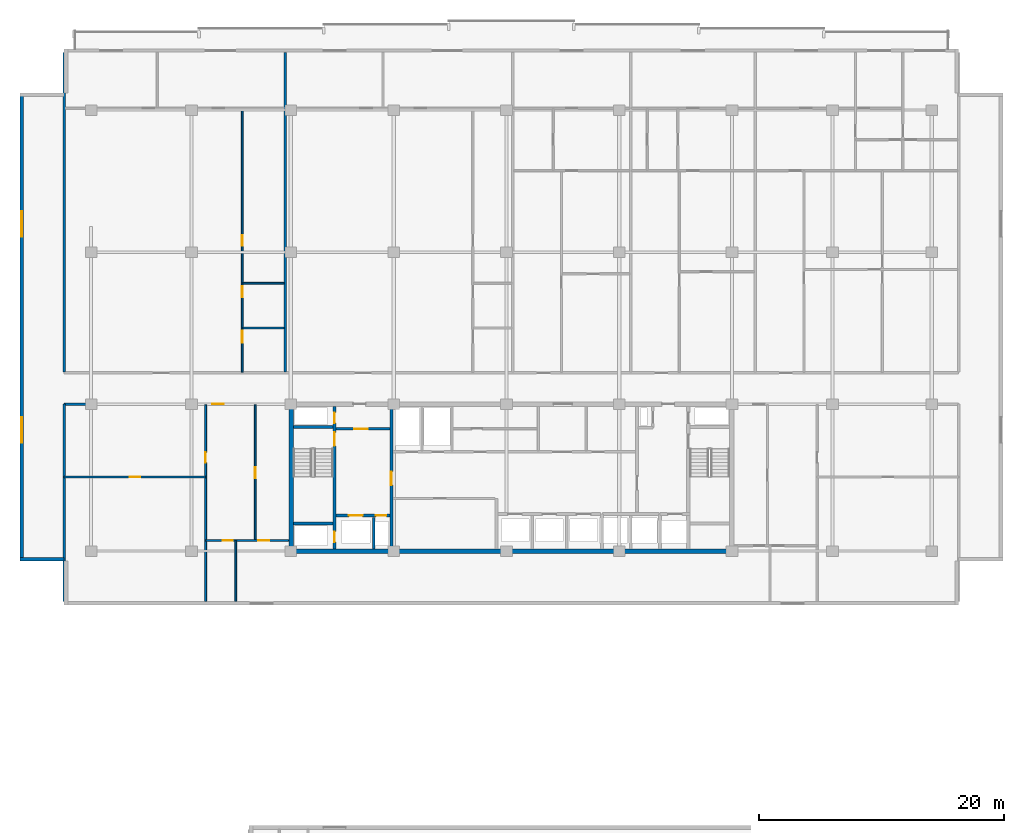
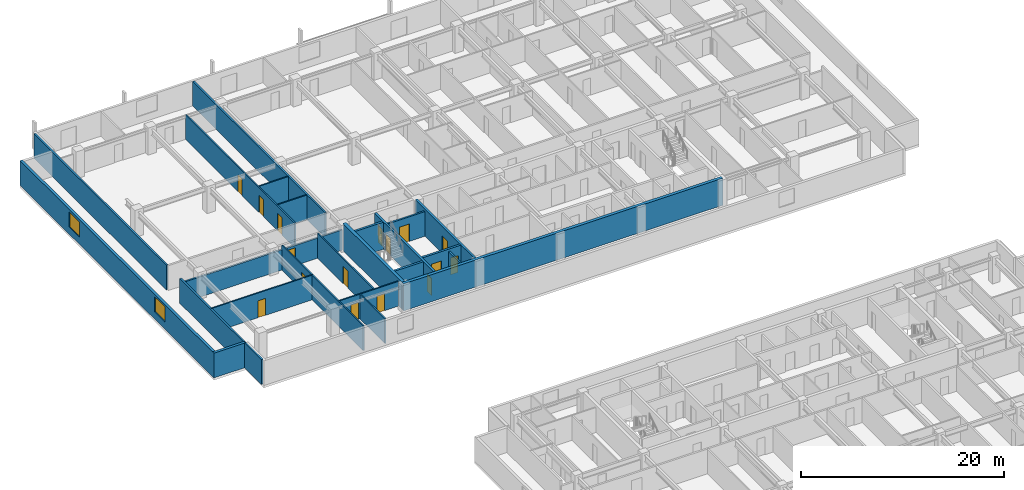
# One storey, part 10 of 21: 23 walls, 16 doors, 2 windows, 18 openings.
"""IFC4 building model written with IfcOpenShell, lengths in metres."""

import ifcopenshell
import ifcopenshell.guid

model = None  # the IFC model being written
_history = None  # IfcOwnerHistory: only IFC2X3 demands one
_inside = {}  # id of a spatial element -> (the spatial element, [elements in it])
_under = {}  # id of a project, library or spatial element -> (it, [spatial elements below it])
_declared = {}  # id of a project -> (the project, [libraries it declares])
_typed = {}  # id of a type object -> (the type object, [elements of that type])
_made_of = {}  # id of a material, layer set ... -> (it, [elements and type objects made of it])


def new_model(schema):
    """Start an empty IFC model of exactly this schema.

    Asked for "IFC4X3", IfcOpenShell would pick the latest addendum, in which some entities
    have other attributes; the version numbers below select the first issue.
    IFC2X3 requires an IfcOwnerHistory on every rooted entity: one is made here for all.
    """
    global model, _history
    if schema == "IFC4X3":
        model = ifcopenshell.file(schema_version=(4, 3, 0, 0))
    else:
        model = ifcopenshell.file(schema=schema)
    _inside.clear()
    _under.clear()
    _declared.clear()
    _typed.clear()
    _made_of.clear()
    _history = None
    if model.schema == "IFC2X3":
        org = make("IfcOrganization", Name="unknown")
        user = make(
            "IfcPersonAndOrganization",
            ThePerson=make("IfcPerson", FamilyName="unknown"),
            TheOrganization=org,
        )
        app = make(
            "IfcApplication",
            ApplicationDeveloper=org,
            Version="unknown",
            ApplicationFullName="unknown",
            ApplicationIdentifier="unknown",
        )
        _history = make(
            "IfcOwnerHistory",
            OwningUser=user,
            OwningApplication=app,
            ChangeAction="ADDED",
            CreationDate=0,
        )
    return model


def make(cls, **values):
    """One entity of the class cls with the attributes given. An attribute that is None is left unset."""
    return model.create_entity(
        cls, **{name: value for name, value in values.items() if value is not None}
    )


def rooted(cls, **values):
    """An entity with a GlobalId (a new one), such as an element, a storey or a relation."""
    return make(cls, GlobalId=ifcopenshell.guid.new(), OwnerHistory=_history, **values)


def si_unit(unit_type, name, prefix=None):
    """IfcSIUnit, for example si_unit("LENGTHUNIT", "METRE", prefix="MILLI")."""
    return make("IfcSIUnit", UnitType=unit_type, Prefix=prefix, Name=name)


def assignment(units):
    """IfcUnitAssignment: the units of a project."""
    return None if units is None else make("IfcUnitAssignment", Units=units)


def point(xyz):
    """IfcCartesianPoint."""
    return None if xyz is None else make("IfcCartesianPoint", Coordinates=xyz)


def direction(xyz):
    """IfcDirection."""
    return None if xyz is None else make("IfcDirection", DirectionRatios=xyz)


def frame(location, z_axis=None, x_axis=None):
    """IfcAxis2Placement3D, a coordinate frame: its origin and axes. An axis left out is left unset."""
    return make(
        "IfcAxis2Placement3D",
        Location=point(location),
        Axis=direction(z_axis),
        RefDirection=direction(x_axis),
    )


def frame_2d(location, x_axis=None):
    """IfcAxis2Placement2D, a coordinate frame in the plane: its origin and x axis."""
    return make(
        "IfcAxis2Placement2D", Location=point(location), RefDirection=direction(x_axis)
    )


def origin():
    """The frame at (0, 0, 0) with its axes left unset."""
    return frame((0.0, 0.0, 0.0))


def place(relative_to, where):
    """IfcLocalPlacement: puts the frame where relative to a parent placement (None: the world)."""
    return make(
        "IfcLocalPlacement", PlacementRelTo=relative_to, RelativePlacement=where
    )


def context(
    kind, dimensions, precision=None, world=None, true_north=None, identifier=None
):
    """IfcGeometricRepresentationContext, for example the 3D "Model" context."""
    return make(
        "IfcGeometricRepresentationContext",
        ContextIdentifier=identifier,
        ContextType=kind,
        CoordinateSpaceDimension=dimensions,
        Precision=precision,
        WorldCoordinateSystem=world,
        TrueNorth=true_north,
    )


def subcontext(parent, identifier, kind, view, scale=None):
    """IfcGeometricRepresentationSubContext, for example "Body" below "Model"."""
    return make(
        "IfcGeometricRepresentationSubContext",
        ContextIdentifier=identifier,
        ContextType=kind,
        ParentContext=parent,
        TargetScale=scale,
        TargetView=view,
    )


def project(units=None, contexts=None):
    """IfcProject with its units and contexts."""
    return rooted(
        "IfcProject",
        Name="project",
        RepresentationContexts=contexts,
        UnitsInContext=assignment(units),
    )


def spatial(cls, under=None, at=None, **own):
    """A site, building, storey or space (cls), placed at a placement, below another one or the project."""
    s = rooted(cls, ObjectPlacement=at, **own)
    if under is not None:
        _under.setdefault(under.id(), (under, []))[1].append(s)
    return s


def profile(cls, at=None, kind="AREA", **sizes):
    """A parametric profile (cls). Its sizes go by their IFC names, for example OverallWidth=200.0."""
    return make(cls, ProfileType=kind, Position=at, **sizes)


def rectangle(**sizes):
    """IfcRectangleProfileDef."""
    return profile("IfcRectangleProfileDef", **sizes)


def extrude(swept, where, along, depth):
    """IfcExtrudedAreaSolid: the profile swept, set in the frame where, extruded along a direction by depth."""
    return make(
        "IfcExtrudedAreaSolid",
        SweptArea=swept,
        Position=where,
        ExtrudedDirection=direction(along),
        Depth=depth,
    )


def shape(context_of_items, identifier, shape_type, items):
    """IfcShapeRepresentation: the items that make up one representation, for example the "Body"."""
    return make(
        "IfcShapeRepresentation",
        ContextOfItems=context_of_items,
        RepresentationIdentifier=identifier,
        RepresentationType=shape_type,
        Items=items,
    )


def material(Name=None, Category=None):
    """IfcMaterial."""
    return make("IfcMaterial", Name=Name, Category=Category)


def layer(
    of_material, thickness, ventilated=None, Name=None, Category=None, Priority=None
):
    """IfcMaterialLayer: one layer of a wall or slab, of a material (None: an air gap)."""
    return make(
        "IfcMaterialLayer",
        Material=of_material,
        LayerThickness=thickness,
        IsVentilated=ventilated,
        Name=Name,
        Category=Category,
        Priority=Priority,
    )


def layer_set(layers, Name=None):
    """IfcMaterialLayerSet."""
    return make("IfcMaterialLayerSet", MaterialLayers=layers, LayerSetName=Name)


def made_of(thing, what):
    """Note that an element or type object is made of a material, layer set ...; save() writes the relation."""
    if what is not None:
        _made_of.setdefault(what.id(), (what, []))[1].append(thing)
    return thing


def type_object(cls, material=None, **own):
    """A type object (cls), such as IfcWallType, which elements share."""
    return made_of(rooted(cls, **own), material)


def element(
    cls,
    number,
    at=None,
    inside=None,
    cuts=None,
    type_object=None,
    material=None,
    context=None,
    identifier="Body",
    shape_type=None,
    held_by="IfcProductDefinitionShape",
    body=None,
    shapes=None,
    **own,
):
    """One element of the class cls, such as IfcWall. Its Tag is "e" and its number.

    at: its placement. inside: the storey or other place that contains it. cuts: it is an
    opening in that element (IfcRelVoidsElement). A single representation is given by context,
    identifier, shape_type and body (its items); several are given by shapes. held_by: the class
    of the entity that holds the representations. save() writes the other relations.
    """
    e = rooted(cls, Tag="e%d" % number, ObjectPlacement=at, **own)
    if body is not None:
        shapes = [shape(context, identifier, shape_type, body)]
    if shapes is not None:
        e.Representation = make(held_by, Representations=shapes)
    if inside is not None:
        _inside.setdefault(inside.id(), (inside, []))[1].append(e)
    if cuts is not None:
        rooted(
            "IfcRelVoidsElement", RelatingBuildingElement=cuts, RelatedOpeningElement=e
        )
    if type_object is not None:
        _typed.setdefault(type_object.id(), (type_object, []))[1].append(e)
    return made_of(e, material)


def fill(opening, filler):
    """IfcRelFillsElement: the door or window that sits in an opening."""
    return rooted(
        "IfcRelFillsElement",
        RelatingOpeningElement=opening,
        RelatedBuildingElement=filler,
    )


def aggregate(whole, parts):
    """IfcRelAggregates: a whole, such as a stair, and the parts it consists of."""
    return rooted("IfcRelAggregates", RelatingObject=whole, RelatedObjects=parts)


def save(model, path):
    """Write the relations noted so far, then the file.

    IfcRelAggregates (storeys below a building ...), IfcRelContainedInSpatialStructure (elements
    in a storey), IfcRelDefinesByType, IfcRelAssociatesMaterial and IfcRelDeclares: one each for
    every whole, place, type object, material and project.
    """
    for whole, parts in _under.values():
        aggregate(whole, parts)
    for where, things in _inside.values():
        rooted(
            "IfcRelContainedInSpatialStructure",
            RelatedElements=things,
            RelatingStructure=where,
        )
    for kind, things in _typed.values():
        rooted("IfcRelDefinesByType", RelatedObjects=things, RelatingType=kind)
    for what, things in _made_of.values():
        rooted("IfcRelAssociatesMaterial", RelatedObjects=things, RelatingMaterial=what)
    for by, libraries in _declared.values():
        rooted("IfcRelDeclares", RelatingContext=by, RelatedDefinitions=libraries)
    model.write(path)


model = new_model("IFC4")

# Units and contexts
model_context = context("Model", 3, precision=1e-05, world=origin(), true_north=direction((0.0, 1.0)))
body_context = subcontext(model_context, "Body", "Model", "MODEL_VIEW")
ifc_project = project(units=[si_unit("LENGTHUNIT", "METRE"), si_unit("AREAUNIT", "SQUARE_METRE"), si_unit("VOLUMEUNIT", "CUBIC_METRE"), si_unit("PLANEANGLEUNIT", "RADIAN"), si_unit("MASSUNIT", "GRAM", prefix="KILO")], contexts=[model_context])

# Site, building, storey
site_placement = place(None, origin())
site = spatial("IfcSite", under=ifc_project, at=site_placement, CompositionType="ELEMENT")
building_placement = place(site_placement, origin())
building = spatial("IfcBuilding", under=site, at=building_placement, Name="Korimba Cascade Residences", CompositionType="ELEMENT")
storey_placement = place(building_placement, frame((0.0, 0.0, 103.550048828125)))
storey = spatial("IfcBuildingStorey", under=building, at=storey_placement, Name="L29", CompositionType="ELEMENT", Elevation=103.550048828125)

# Wall, openings, windows
ifc_material_1 = material(Name="Precast concrete C40/50", Category="concrete")
ifc_layer_1 = layer(ifc_material_1, 0.300048828125)
ifc_layer_set_1 = layer_set([ifc_layer_1], Name="Precast concrete C40/50")
wall_type_1 = type_object("IfcWallType", Name="EW-STONE-300", PredefinedType="STANDARD", material=ifc_layer_set_1)
wall_1_placement = place(storey_placement, frame((54.14990234375, 92.60009765625, 0.0), z_axis=(0.0, 0.0, 1.0), x_axis=(0.0, -1.0, 0.0)))
wall_1 = element("IfcWall", 1, at=wall_1_placement, inside=storey, type_object=wall_type_1, Name="L29 T1 Perimeter Stone Wall E09", PredefinedType="STANDARD", context=body_context, shape_type="SweptSolid", body=[
    extrude(rectangle(XDim=38.2001953125, YDim=0.300048828125, at=frame_2d((19.10009765625, 0.0))), origin(), (0.0, 0.0, 1.0), 2.969970703125),
])
opening_1_placement = place(wall_1_placement, frame((9.64599609375, 0.0, 0.85009765625)))
opening_1 = element("IfcOpeningElement", 2, at=opening_1_placement, cuts=wall_1, Name="Opening W-03", PredefinedType="OPENING", context=body_context, shape_type="SweptSolid", body=[
    extrude(rectangle(XDim=2.10009765625, YDim=1.85009765625, at=frame_2d((1.050048828125, 0.925048828125))), frame((0.0, 0.16015625, 0.0), z_axis=(0.0, -1.0, 0.0), x_axis=(1.0, 0.0, 0.0)), (0.0, 0.0, 1.0), 0.320068359375),
])
opening_2_placement = place(wall_1_placement, frame((26.4541015625, 0.0, 0.85009765625)))
opening_2 = element("IfcOpeningElement", 3, at=opening_2_placement, cuts=wall_1, Name="Opening W-03", PredefinedType="OPENING", context=body_context, shape_type="SweptSolid", body=[
    extrude(rectangle(XDim=2.10009765625, YDim=1.85009765625, at=frame_2d((1.050048828125, 0.925048828125))), frame((0.0, 0.16015625, 0.0), z_axis=(0.0, -1.0, 0.0), x_axis=(1.0, 0.0, 0.0)), (0.0, 0.0, 1.0), 0.320068359375),
])
ifc_material_2 = material(Name="Double-Glazed Aluminium Window", Category="aluminium")
window_type = type_object("IfcWindowType", Name="WIN-CRN-2100", PartitioningType="DOUBLE_PANEL_HORIZONTAL", PredefinedType="WINDOW", material=ifc_material_2)
window_1_placement = place(opening_1_placement, origin())
window_1 = element("IfcWindow", 4, at=window_1_placement, inside=storey, type_object=window_type, Name="L29 T1 End View Window 9.1", OverallHeight=1.85009765625, OverallWidth=2.10009765625, PartitioningType="DOUBLE_PANEL_HORIZONTAL", PredefinedType="WINDOW", context=body_context, shape_type="SweptSolid", body=[
    extrude(rectangle(XDim=2.10009765625, YDim=1.85009765625, at=frame_2d((1.050048828125, 0.925048828125))), frame((0.0, 0.030029296875, 0.0), z_axis=(0.0, -1.0, 0.0), x_axis=(1.0, 0.0, 0.0)), (0.0, 0.0, 1.0), 0.06005859375),
])
fill(opening_1, window_1)
window_2_placement = place(opening_2_placement, origin())
window_2 = element("IfcWindow", 5, at=window_2_placement, inside=storey, type_object=window_type, Name="L29 T1 End View Window 9.2", OverallHeight=1.85009765625, OverallWidth=2.10009765625, PartitioningType="DOUBLE_PANEL_HORIZONTAL", PredefinedType="WINDOW", context=body_context, shape_type="SweptSolid", body=[
    extrude(rectangle(XDim=2.10009765625, YDim=1.85009765625, at=frame_2d((1.050048828125, 0.925048828125))), frame((0.0, 0.030029296875, 0.0), z_axis=(0.0, -1.0, 0.0), x_axis=(1.0, 0.0, 0.0)), (0.0, 0.0, 1.0), 0.06005859375),
])
fill(opening_2, window_2)

# Walls
wall_2_placement = place(storey_placement, frame((54.0, 54.550048828125, 0.0), z_axis=(0.0, 0.0, 1.0), x_axis=(1.0, 0.0, 0.0)))
element("IfcWall", 6, at=wall_2_placement, inside=storey, type_object=wall_type_1, Name="L29 T1 Perimeter Stone Wall E10", PredefinedType="STANDARD", context=body_context, shape_type="SweptSolid", body=[
    extrude(rectangle(XDim=3.60009765625, YDim=0.300048828125, at=frame_2d((1.800048828125, 0.0))), origin(), (0.0, 0.0, 1.0), 2.969970703125),
])
ifc_material_3 = material(Name="Concrete C65/80", Category="concrete")
ifc_layer_2 = layer(ifc_material_3, 0.35009765625)
ifc_layer_set_2 = layer_set([ifc_layer_2], Name="Concrete C65/80")
wall_type_2 = type_object("IfcWallType", Name="WAL-CORE-350", PredefinedType="SHEAR", material=ifc_layer_set_2)
wall_3_placement = place(storey_placement, frame((75.949951171875, 55.199951171875, 0.0), z_axis=(0.0, 0.0, 1.0), x_axis=(1.0, 0.0, 0.0)))
element("IfcWall", 7, at=wall_3_placement, inside=storey, type_object=wall_type_2, Name="L29 Core Shear Wall CW-L29-T1-S", PredefinedType="SHEAR", context=body_context, shape_type="SweptSolid", body=[
    extrude(rectangle(XDim=36.300048828125, YDim=0.35009765625, at=frame_2d((18.14990234375, 0.0))), origin(), (0.0, 0.0, 1.0), 3.25),
])
wall_4_placement = place(storey_placement, frame((76.125, 55.375, 0.0), z_axis=(0.0, 0.0, 1.0), x_axis=(0.0, 1.0, 0.0)))
element("IfcWall", 8, at=wall_4_placement, inside=storey, type_object=wall_type_2, Name="L29 Core Shear Wall CW-L29-T1-W", PredefinedType="SHEAR", context=body_context, shape_type="SweptSolid", body=[
    extrude(rectangle(XDim=11.64990234375, YDim=0.35009765625, at=frame_2d((5.824951171875, 0.0))), origin(), (0.0, 0.0, 1.0), 3.25),
])
ifc_layer_3 = layer(ifc_material_1, 0.199951171875)
ifc_layer_set_3 = layer_set([ifc_layer_3], Name="Precast concrete C40/50")
wall_type_3 = type_object("IfcWallType", Name="WAL-IT-200", PredefinedType="PARTITIONING", material=ifc_layer_set_3)
wall_5_placement = place(storey_placement, frame((57.60009765625, 51.10009765625, 0.0), z_axis=(0.0, 0.0, 1.0), x_axis=(0.0, 1.0, 0.0)))
element("IfcWall", 9, at=wall_5_placement, inside=storey, type_object=wall_type_3, Name="L29 Partition Wall WAL-L29-T1-FW-WL", PredefinedType="PARTITIONING", context=body_context, shape_type="SweptSolid", body=[
    extrude(rectangle(XDim=16.099853515625, YDim=0.199951171875, at=frame_2d((8.0498046875, 0.0))), origin(), (0.0, 0.0, 1.0), 2.969970703125),
])

# Wall, opening, door
wall_6_placement = place(storey_placement, frame((57.60009765625, 67.199951171875, 0.0), z_axis=(0.0, 0.0, 1.0), x_axis=(1.0, 0.0, 0.0)))
wall_6 = element("IfcWall", 10, at=wall_6_placement, inside=storey, type_object=wall_type_3, Name="L29 Partition Wall WAL-L29-T1-FW-N", PredefinedType="PARTITIONING", context=body_context, shape_type="SweptSolid", body=[
    extrude(rectangle(XDim=18.349853515625, YDim=0.199951171875, at=frame_2d((9.1748046875, 0.0))), origin(), (0.0, 0.0, 1.0), 2.433349609375),
])
opening_3_placement = place(wall_6_placement, frame((12.07470703125, 0.0, 0.0)))
opening_3 = element("IfcOpeningElement", 11, at=opening_3_placement, cuts=wall_6, Name="Opening D-UN1", PredefinedType="OPENING", context=body_context, shape_type="SweptSolid", body=[
    extrude(rectangle(XDim=0.949951171875, YDim=2.14990234375, at=frame_2d((0.47509765625, 1.074951171875))), frame((0.0, 0.10986328125, 0.0), z_axis=(0.0, -1.0, 0.0), x_axis=(1.0, 0.0, 0.0)), (0.0, 0.0, 1.0), 0.219970703125),
])
ifc_material_4 = material(Name="Fire-Rated Hardwood Apartment Entrance Door", Category="wood")
door_type_1 = type_object("IfcDoorType", Name="DR-FD60-950", OperationType="NOTDEFINED", PredefinedType="DOOR", material=ifc_material_4)
door_1_placement = place(opening_3_placement, origin())
door_1 = element("IfcDoor", 12, at=door_1_placement, inside=storey, type_object=door_type_1, Name="L29-T1-FW Entrance Door", OperationType="SINGLE_SWING_RIGHT", OverallHeight=2.14990234375, OverallWidth=0.949951171875, PredefinedType="DOOR", context=body_context, shape_type="SweptSolid", body=[
    extrude(rectangle(XDim=0.949951171875, YDim=2.14990234375, at=frame_2d((0.47509765625, 1.074951171875))), frame((0.0, 0.02490234375, 0.0), z_axis=(0.0, -1.0, 0.0), x_axis=(1.0, 0.0, 0.0)), (0.0, 0.0, 1.0), 0.050048828125),
])
fill(opening_3, door_1)

# Walls
for number, where, z_axis, x_axis, name in (
    (13, (57.60009765625, 69.830078125, 0.0), (0.0, 0.0, 1.0), (0.0, 1.0, 0.0), "L29 Partition Wall WAL-L29-T1-BNDWL"),
    (14, (75.632080078125, 69.830078125, 0.0), (0.0, 0.0, 1.0), (0.0, 1.0, 0.0), "L29 Partition Wall WAL-L29-T1-DEM-1"),
):
    element("IfcWall", number, at=place(storey_placement, frame(where, z_axis=z_axis, x_axis=x_axis)), inside=storey, type_object=wall_type_3, Name=name, PredefinedType="PARTITIONING", context=body_context, shape_type="SweptSolid", body=[
        extrude(rectangle(XDim=26.06982421875, YDim=0.199951171875, at=frame_2d((13.034912109375, 0.0))), origin(), (0.0, 0.0, 1.0), 2.969970703125),
    ])

# Wall, opening, door
ifc_material_5 = material(Name="Insulated Acoustic Stud Partition", Category="gypsum")
ifc_layer_4 = layer(ifc_material_5, 0.14990234375)
ifc_layer_set_4 = layer_set([ifc_layer_4], Name="Insulated Acoustic Stud Partition")
wall_type_4 = type_object("IfcWallType", Name="WAL-PART-150", PredefinedType="PARTITIONING", material=ifc_layer_set_4)
wall_7_placement = place(storey_placement, frame((57.60009765625, 61.25, 0.0), z_axis=(0.0, 0.0, 1.0), x_axis=(1.0, 0.0, 0.0)))
wall_7 = element("IfcWall", 15, at=wall_7_placement, inside=storey, type_object=wall_type_4, Name="L29 Partition Wall WAL-L29-T1-FW-STH", PredefinedType="PARTITIONING", context=body_context, shape_type="SweptSolid", body=[
    extrude(rectangle(XDim=11.5498046875, YDim=0.14990234375, at=frame_2d((5.77490234375, 0.0))), origin(), (0.0, 0.0, 1.0), 2.969970703125),
])
opening_4_placement = place(wall_7_placement, frame((5.35498046875, 0.0, 0.0)))
opening_4 = element("IfcOpeningElement", 16, at=opening_4_placement, cuts=wall_7, Name="Opening D-BT1", PredefinedType="OPENING", context=body_context, shape_type="SweptSolid", body=[
    extrude(rectangle(XDim=0.840087890625, YDim=2.0400390625, at=frame_2d((0.419921875, 1.02001953125))), frame((0.0, 0.0849609375, 0.0), z_axis=(0.0, -1.0, 0.0), x_axis=(1.0, 0.0, 0.0)), (0.0, 0.0, 1.0), 0.169921875),
])
ifc_material_6 = material(Name="Moisture-Resistant Bathroom Timber Door", Category="wood")
door_type_2 = type_object("IfcDoorType", Name="DR-INT-850", OperationType="NOTDEFINED", PredefinedType="DOOR", material=ifc_material_6)
door_2_placement = place(opening_4_placement, origin())
door_2 = element("IfcDoor", 17, at=door_2_placement, inside=storey, type_object=door_type_2, Name="L29-T1-FW Dressing Store Door", OperationType="SINGLE_SWING_LEFT", OverallHeight=2.0400390625, OverallWidth=0.840087890625, PredefinedType="DOOR", context=body_context, shape_type="SweptSolid", body=[
    extrude(rectangle(XDim=0.840087890625, YDim=2.0400390625, at=frame_2d((0.419921875, 1.02001953125))), frame((0.0, 0.02490234375, 0.0), z_axis=(0.0, -1.0, 0.0), x_axis=(1.0, 0.0, 0.0)), (0.0, 0.0, 1.0), 0.050048828125),
])
fill(opening_4, door_2)

wall_8_placement = place(storey_placement, frame((69.14990234375, 51.10009765625, 0.0), z_axis=(0.0, 0.0, 1.0), x_axis=(0.0, 1.0, 0.0)))
wall_8 = element("IfcWall", 18, at=wall_8_placement, inside=storey, type_object=wall_type_4, Name="L29 Partition Wall WAL-L29-T1-FW-STV", PredefinedType="PARTITIONING", context=body_context, shape_type="SweptSolid", body=[
    extrude(rectangle(XDim=16.0498046875, YDim=0.14990234375, at=frame_2d((8.02490234375, 0.0))), origin(), (0.0, 0.0, 1.0), 2.969970703125),
])
opening_5_placement = place(wall_8_placement, frame((11.300048828125, 0.0, 0.0)))
opening_5 = element("IfcOpeningElement", 19, at=opening_5_placement, cuts=wall_8, Name="Opening D-IN2", PredefinedType="OPENING", context=body_context, shape_type="SweptSolid", body=[
    extrude(rectangle(XDim=0.8798828125, YDim=2.06005859375, at=frame_2d((0.43994140625, 1.030029296875))), frame((0.0, 0.0849609375, 0.0), z_axis=(0.0, -1.0, 0.0), x_axis=(1.0, 0.0, 0.0)), (0.0, 0.0, 1.0), 0.169921875),
])
ifc_material_7 = material(Name="Acoustic Timber Bedroom Door", Category="wood")
door_type_3 = type_object("IfcDoorType", Name="DR-INT-880", OperationType="NOTDEFINED", PredefinedType="DOOR", material=ifc_material_7)
door_3_placement = place(opening_5_placement, origin())
door_3 = element("IfcDoor", 20, at=door_3_placement, inside=storey, type_object=door_type_3, Name="L29-T1-FW Study Door", OperationType="SINGLE_SWING_RIGHT", OverallHeight=2.06005859375, OverallWidth=0.8798828125, PredefinedType="DOOR", context=body_context, shape_type="SweptSolid", body=[
    extrude(rectangle(XDim=0.8798828125, YDim=2.06005859375, at=frame_2d((0.43994140625, 1.030029296875))), frame((0.0, 0.02490234375, 0.0), z_axis=(0.0, -1.0, 0.0), x_axis=(1.0, 0.0, 0.0)), (0.0, 0.0, 1.0), 0.050048828125),
])
fill(opening_5, door_3)

wall_9_placement = place(storey_placement, frame((73.199951171875, 56.070068359375, 0.0), z_axis=(0.0, 0.0, 1.0), x_axis=(0.0, 1.0, 0.0)))
wall_9 = element("IfcWall", 21, at=wall_9_placement, inside=storey, type_object=wall_type_4, Name="L29 Partition Wall WAL-L29-T1-FW-VN", PredefinedType="PARTITIONING", context=body_context, shape_type="SweptSolid", body=[
    extrude(rectangle(XDim=11.079833984375, YDim=0.14990234375, at=frame_2d((5.5400390625, 0.0))), origin(), (0.0, 0.0, 1.0), 2.969970703125),
])
opening_6_placement = place(wall_9_placement, frame((5.080078125, 0.0, 0.0)))
opening_6 = element("IfcOpeningElement", 22, at=opening_6_placement, cuts=wall_9, Name="Opening D-IN1", PredefinedType="OPENING", context=body_context, shape_type="SweptSolid", body=[
    extrude(rectangle(XDim=0.919921875, YDim=2.080078125, at=frame_2d((0.4599609375, 1.0400390625))), frame((0.0, 0.0849609375, 0.0), z_axis=(0.0, -1.0, 0.0), x_axis=(1.0, 0.0, 0.0)), (0.0, 0.0, 1.0), 0.169921875),
])
ifc_material_8 = material(Name="Acoustic Timber Living Door", Category="wood")
door_type_4 = type_object("IfcDoorType", Name="DR-INT-920", OperationType="NOTDEFINED", PredefinedType="DOOR", material=ifc_material_8)
door_4_placement = place(opening_6_placement, origin())
door_4 = element("IfcDoor", 23, at=door_4_placement, inside=storey, type_object=door_type_4, Name="L29-T1-FW Living Door", OperationType="SINGLE_SWING_LEFT", OverallHeight=2.080078125, OverallWidth=0.919921875, PredefinedType="DOOR", context=body_context, shape_type="SweptSolid", body=[
    extrude(rectangle(XDim=0.919921875, YDim=2.080078125, at=frame_2d((0.4599609375, 1.0400390625))), frame((0.0, 0.02490234375, 0.0), z_axis=(0.0, -1.0, 0.0), x_axis=(1.0, 0.0, 0.0)), (0.0, 0.0, 1.0), 0.050048828125),
])
fill(opening_6, door_4)

# Wall
wall_10_placement = place(storey_placement, frame((71.60009765625, 51.10009765625, 0.0), z_axis=(0.0, 0.0, 1.0), x_axis=(0.0, 1.0, 0.0)))
element("IfcWall", 24, at=wall_10_placement, inside=storey, type_object=wall_type_4, Name="L29 Partition Wall WAL-L29-T1-FW-VS", PredefinedType="PARTITIONING", context=body_context, shape_type="SweptSolid", body=[
    extrude(rectangle(XDim=4.969970703125, YDim=0.14990234375, at=frame_2d((2.48486328125, 0.0))), origin(), (0.0, 0.0, 1.0), 2.969970703125),
])

# Wall, openings, doors
wall_11_placement = place(storey_placement, frame((69.169921875, 56.070068359375, 0.0), z_axis=(0.0, 0.0, 1.0), x_axis=(1.0, 0.0, 0.0)))
wall_11 = element("IfcWall", 25, at=wall_11_placement, inside=storey, type_object=wall_type_4, Name="L29 Partition Wall WAL-L29-T1-FW-H", PredefinedType="PARTITIONING", context=body_context, shape_type="SweptSolid", body=[
    extrude(rectangle(XDim=6.760009765625, YDim=0.14990234375, at=frame_2d((3.3798828125, 0.0))), origin(), (0.0, 0.0, 1.0), 2.969970703125),
])
opening_7_placement = place(wall_11_placement, frame((1.3623046875, 0.0, 0.0)))
opening_7 = element("IfcOpeningElement", 26, at=opening_7_placement, cuts=wall_11, Name="Opening D-BT1", PredefinedType="OPENING", context=body_context, shape_type="SweptSolid", body=[
    extrude(rectangle(XDim=0.840087890625, YDim=2.0400390625, at=frame_2d((0.419921875, 1.02001953125))), frame((0.0, 0.0849609375, 0.0), z_axis=(0.0, -1.0, 0.0), x_axis=(1.0, 0.0, 0.0)), (0.0, 0.0, 1.0), 0.169921875),
])
opening_8_placement = place(wall_11_placement, frame((4.276611328125, 0.0, 0.0)))
opening_8 = element("IfcOpeningElement", 27, at=opening_8_placement, cuts=wall_11, Name="Opening D-IN2", PredefinedType="OPENING", context=body_context, shape_type="SweptSolid", body=[
    extrude(rectangle(XDim=0.8798828125, YDim=2.06005859375, at=frame_2d((0.43994140625, 1.030029296875))), frame((0.0, 0.0849609375, 0.0), z_axis=(0.0, -1.0, 0.0), x_axis=(1.0, 0.0, 0.0)), (0.0, 0.0, 1.0), 0.169921875),
])
door_5_placement = place(opening_7_placement, origin())
door_5 = element("IfcDoor", 28, at=door_5_placement, inside=storey, type_object=door_type_2, Name="L29-T1-FW Bathroom Door", OperationType="SINGLE_SWING_RIGHT", OverallHeight=2.0400390625, OverallWidth=0.840087890625, PredefinedType="DOOR", context=body_context, shape_type="SweptSolid", body=[
    extrude(rectangle(XDim=0.840087890625, YDim=2.0400390625, at=frame_2d((0.419921875, 1.02001953125))), frame((0.0, 0.02490234375, 0.0), z_axis=(0.0, -1.0, 0.0), x_axis=(1.0, 0.0, 0.0)), (0.0, 0.0, 1.0), 0.050048828125),
])
fill(opening_7, door_5)
door_6_placement = place(opening_8_placement, origin())
door_6 = element("IfcDoor", 29, at=door_6_placement, inside=storey, type_object=door_type_3, Name="L29-T1-FW Bedroom Door", OperationType="SINGLE_SWING_LEFT", OverallHeight=2.06005859375, OverallWidth=0.8798828125, PredefinedType="DOOR", context=body_context, shape_type="SweptSolid", body=[
    extrude(rectangle(XDim=0.8798828125, YDim=2.06005859375, at=frame_2d((0.43994140625, 1.030029296875))), frame((0.0, 0.02490234375, 0.0), z_axis=(0.0, -1.0, 0.0), x_axis=(1.0, 0.0, 0.0)), (0.0, 0.0, 1.0), 0.050048828125),
])
fill(opening_8, door_6)

# Walls
for number, where, z_axis, x_axis, name in (
    (30, (72.192138671875, 73.419921875, 0.0), (0.0, 0.0, 1.0), (1.0, 0.0, 0.0), "L29 Partition Wall WAL-L29-T1-U01-WCH"),
    (31, (72.192138671875, 77.070068359375, 0.0), (0.0, 0.0, 1.0), (1.0, 0.0, 0.0), "L29 Partition Wall WAL-L29-T1-U01-WCH2"),
):
    element("IfcWall", number, at=place(storey_placement, frame(where, z_axis=z_axis, x_axis=x_axis)), inside=storey, type_object=wall_type_4, Name=name, PredefinedType="PARTITIONING", context=body_context, shape_type="SweptSolid", body=[
        extrude(rectangle(XDim=3.35986328125, YDim=0.14990234375, at=frame_2d((1.679931640625, 0.0))), origin(), (0.0, 0.0, 1.0), 2.969970703125),
    ])

# Wall, openings, doors
wall_12_placement = place(storey_placement, frame((72.132080078125, 69.81005859375, 0.0), z_axis=(0.0, 0.0, 1.0), x_axis=(0.0, 1.0, 0.0)))
wall_12 = element("IfcWall", 32, at=wall_12_placement, inside=storey, type_object=wall_type_4, Name="L29 Partition Wall WAL-L29-T1-U01-WCV", PredefinedType="PARTITIONING", context=body_context, shape_type="SweptSolid", body=[
    extrude(rectangle(XDim=21.47998046875, YDim=0.14990234375, at=frame_2d((10.739990234375, 0.0))), origin(), (0.0, 0.0, 1.0), 2.969970703125),
])
opening_9_placement = place(wall_12_placement, frame((2.406005859375, 0.0, 0.0)))
opening_9 = element("IfcOpeningElement", 33, at=opening_9_placement, cuts=wall_12, Name="Opening D-AC1", PredefinedType="OPENING", context=body_context, shape_type="SweptSolid", body=[
    extrude(rectangle(XDim=0.9599609375, YDim=2.10009765625, at=frame_2d((0.47998046875, 1.050048828125))), frame((0.0, 0.0849609375, 0.0), z_axis=(0.0, -1.0, 0.0), x_axis=(1.0, 0.0, 0.0)), (0.0, 0.0, 1.0), 0.169921875),
])
opening_10_placement = place(wall_12_placement, frame((6.132568359375, 0.0, 0.0)))
opening_10 = element("IfcOpeningElement", 34, at=opening_10_placement, cuts=wall_12, Name="Opening D-IN2", PredefinedType="OPENING", context=body_context, shape_type="SweptSolid", body=[
    extrude(rectangle(XDim=0.8798828125, YDim=2.06005859375, at=frame_2d((0.43994140625, 1.030029296875))), frame((0.0, 0.0849609375, 0.0), z_axis=(0.0, -1.0, 0.0), x_axis=(1.0, 0.0, 0.0)), (0.0, 0.0, 1.0), 0.169921875),
])
opening_11_placement = place(wall_12_placement, frame((10.320068359375, 0.0, 0.0)))
opening_11 = element("IfcOpeningElement", 35, at=opening_11_placement, cuts=wall_12, Name="Opening D-BT1", PredefinedType="OPENING", context=body_context, shape_type="SweptSolid", body=[
    extrude(rectangle(XDim=0.840087890625, YDim=2.0400390625, at=frame_2d((0.419921875, 1.02001953125))), frame((0.0, 0.0849609375, 0.0), z_axis=(0.0, -1.0, 0.0), x_axis=(1.0, 0.0, 0.0)), (0.0, 0.0, 1.0), 0.169921875),
])
ifc_material_9 = material(Name="Accessible Acoustic Timber WC Door", Category="wood")
door_type_5 = type_object("IfcDoorType", Name="DR-ACC-950", OperationType="NOTDEFINED", PredefinedType="DOOR", material=ifc_material_9)
door_7_placement = place(opening_9_placement, origin())
door_7 = element("IfcDoor", 36, at=door_7_placement, inside=storey, type_object=door_type_5, Name="L29-T1-U01 Accessible WC Door", OperationType="SINGLE_SWING_LEFT", OverallHeight=2.10009765625, OverallWidth=0.9599609375, PredefinedType="DOOR", context=body_context, shape_type="SweptSolid", body=[
    extrude(rectangle(XDim=0.9599609375, YDim=2.10009765625, at=frame_2d((0.47998046875, 1.050048828125))), frame((0.0, 0.02490234375, 0.0), z_axis=(0.0, -1.0, 0.0), x_axis=(1.0, 0.0, 0.0)), (0.0, 0.0, 1.0), 0.050048828125),
])
fill(opening_9, door_7)
door_8_placement = place(opening_11_placement, origin())
door_8 = element("IfcDoor", 37, at=door_8_placement, inside=storey, type_object=door_type_2, Name="L29-T1-U01 Suite Store Door", OperationType="SINGLE_SWING_LEFT", OverallHeight=2.0400390625, OverallWidth=0.840087890625, PredefinedType="DOOR", context=body_context, shape_type="SweptSolid", body=[
    extrude(rectangle(XDim=0.840087890625, YDim=2.0400390625, at=frame_2d((0.419921875, 1.02001953125))), frame((0.0, 0.02490234375, 0.0), z_axis=(0.0, -1.0, 0.0), x_axis=(1.0, 0.0, 0.0)), (0.0, 0.0, 1.0), 0.050048828125),
])
fill(opening_11, door_8)
door_9_placement = place(opening_10_placement, origin())
door_9 = element("IfcDoor", 38, at=door_9_placement, inside=storey, type_object=door_type_3, Name="L29-T1-U01 Restroom WC Door", OperationType="SINGLE_SWING_RIGHT", OverallHeight=2.06005859375, OverallWidth=0.8798828125, PredefinedType="DOOR", context=body_context, shape_type="SweptSolid", body=[
    extrude(rectangle(XDim=0.8798828125, YDim=2.06005859375, at=frame_2d((0.43994140625, 1.030029296875))), frame((0.0, 0.02490234375, 0.0), z_axis=(0.0, -1.0, 0.0), x_axis=(1.0, 0.0, 0.0)), (0.0, 0.0, 1.0), 0.050048828125),
])
fill(opening_10, door_9)

# Wall
ifc_material_10 = material(Name="Concrete C40/50", Category="concrete")
ifc_layer_5 = layer(ifc_material_10, 0.199951171875)
ifc_layer_set_5 = layer_set([ifc_layer_5], Name="Concrete C40/50")
wall_type_5 = type_object("IfcWallType", Name="WAL-PART-200", PredefinedType="PARTITIONING", material=ifc_layer_set_5)
wall_13_placement = place(storey_placement, frame((82.85009765625, 55.39990234375, 0.0), z_axis=(0.0, 0.0, 1.0), x_axis=(0.0, 1.0, 0.0)))
element("IfcWall", 39, at=wall_13_placement, inside=storey, type_object=wall_type_5, Name="L29 Partition Wall CW-L29-T1-FFLDIV", PredefinedType="PARTITIONING", context=body_context, shape_type="SweptSolid", body=[
    extrude(rectangle(XDim=2.56005859375, YDim=0.199951171875, at=frame_2d((1.280029296875, 0.0))), origin(), (0.0, 0.0, 1.0), 2.969970703125),
])

# Wall, opening, door
wall_14_placement = place(storey_placement, frame((79.7900390625, 65.179931640625, 0.0), z_axis=(0.0, 0.0, 1.0), x_axis=(1.0, 0.0, 0.0)))
wall_14 = element("IfcWall", 40, at=wall_14_placement, inside=storey, type_object=wall_type_5, Name="L29 Partition Wall CW-L29-T1-FFLN", PredefinedType="PARTITIONING", context=body_context, shape_type="SweptSolid", body=[
    extrude(rectangle(XDim=4.389892578125, YDim=0.199951171875, at=frame_2d((2.19482421875, 0.0))), origin(), (0.0, 0.0, 1.0), 2.969970703125),
])
opening_12_placement = place(wall_14_placement, frame((1.5, 0.0, 0.0)))
opening_12 = element("IfcOpeningElement", 41, at=opening_12_placement, cuts=wall_14, Name="Opening D-FD1", PredefinedType="OPENING", context=body_context, shape_type="SweptSolid", body=[
    extrude(rectangle(XDim=1.10009765625, YDim=2.10009765625, at=frame_2d((0.550048828125, 1.050048828125))), frame((0.0, 0.10986328125, 0.0), z_axis=(0.0, -1.0, 0.0), x_axis=(1.0, 0.0, 0.0)), (0.0, 0.0, 1.0), 0.219970703125),
])
ifc_material_11 = material(Name="Fire-Rated Steel Core Door", Category="steel")
door_type_6 = type_object("IfcDoorType", Name="DR-FD120-1100", OperationType="NOTDEFINED", PredefinedType="DOOR", material=ifc_material_11)
door_10_placement = place(opening_12_placement, origin())
door_10 = element("IfcDoor", 42, at=door_10_placement, inside=storey, type_object=door_type_6, Name="L29 West Firefighting Lobby Door", OperationType="SINGLE_SWING_LEFT", OverallHeight=2.10009765625, OverallWidth=1.10009765625, PredefinedType="DOOR", context=body_context, shape_type="SweptSolid", body=[
    extrude(rectangle(XDim=1.10009765625, YDim=2.10009765625, at=frame_2d((0.550048828125, 1.050048828125))), frame((0.0, 0.02490234375, 0.0), z_axis=(0.0, -1.0, 0.0), x_axis=(1.0, 0.0, 0.0)), (0.0, 0.0, 1.0), 0.050048828125),
])
fill(opening_12, door_10)

# Wall, openings, doors
ifc_material_12 = material(Name="Concrete C50/60", Category="concrete")
ifc_layer_6 = layer(ifc_material_12, 0.25)
ifc_layer_set_6 = layer_set([ifc_layer_6], Name="Concrete C50/60")
wall_type_6 = type_object("IfcWallType", Name="WAL-SHAFT-250", PredefinedType="SHEAR", material=ifc_layer_set_6)
wall_15_placement = place(storey_placement, frame((79.6650390625, 55.39990234375, 0.0), z_axis=(0.0, 0.0, 1.0), x_axis=(0.0, 1.0, 0.0)))
wall_15 = element("IfcWall", 43, at=wall_15_placement, inside=storey, type_object=wall_type_6, Name="L29 Core Shear Wall CW-L29-T1-STW1E", PredefinedType="SHEAR", context=body_context, shape_type="SweptSolid", body=[
    extrude(rectangle(XDim=11.60009765625, YDim=0.25, at=frame_2d((5.800048828125, 0.0))), origin(), (0.0, 0.0, 1.0), 3.25),
])
opening_13_placement = place(wall_15_placement, frame((0.550048828125, 0.0, 0.0)))
opening_13 = element("IfcOpeningElement", 44, at=opening_13_placement, cuts=wall_15, Name="Opening D-RS1", PredefinedType="OPENING", context=body_context, shape_type="SweptSolid", body=[
    extrude(rectangle(XDim=0.85009765625, YDim=2.050048828125, at=frame_2d((0.425048828125, 1.02490234375))), frame((0.0, 0.135009765625, 0.0), z_axis=(0.0, -1.0, 0.0), x_axis=(1.0, 0.0, 0.0)), (0.0, 0.0, 1.0), 0.27001953125),
])
opening_14_placement = place(wall_15_placement, frame((8.39990234375, 0.0, 0.0)))
opening_14 = element("IfcOpeningElement", 45, at=opening_14_placement, cuts=wall_15, Name="Opening D-FD1", PredefinedType="OPENING", context=body_context, shape_type="SweptSolid", body=[
    extrude(rectangle(XDim=1.10009765625, YDim=2.10009765625, at=frame_2d((0.550048828125, 1.050048828125))), frame((0.0, 0.135009765625, 0.0), z_axis=(0.0, -1.0, 0.0), x_axis=(1.0, 0.0, 0.0)), (0.0, 0.0, 1.0), 0.27001953125),
])
opening_15_placement = place(wall_15_placement, frame((10.25, 0.0, 0.0)))
opening_15 = element("IfcOpeningElement", 46, at=opening_15_placement, cuts=wall_15, Name="Opening D-RS1", PredefinedType="OPENING", context=body_context, shape_type="SweptSolid", body=[
    extrude(rectangle(XDim=0.85009765625, YDim=2.050048828125, at=frame_2d((0.425048828125, 1.02490234375))), frame((0.0, 0.135009765625, 0.0), z_axis=(0.0, -1.0, 0.0), x_axis=(1.0, 0.0, 0.0)), (0.0, 0.0, 1.0), 0.27001953125),
])
door_11_placement = place(opening_14_placement, origin())
door_11 = element("IfcDoor", 47, at=door_11_placement, inside=storey, type_object=door_type_6, Name="L29 Fire Stair ST-W1 Door", OperationType="SINGLE_SWING_RIGHT", OverallHeight=2.10009765625, OverallWidth=1.10009765625, PredefinedType="DOOR", context=body_context, shape_type="SweptSolid", body=[
    extrude(rectangle(XDim=1.10009765625, YDim=2.10009765625, at=frame_2d((0.550048828125, 1.050048828125))), frame((0.0, 0.02490234375, 0.0), z_axis=(0.0, -1.0, 0.0), x_axis=(1.0, 0.0, 0.0)), (0.0, 0.0, 1.0), 0.050048828125),
])
fill(opening_14, door_11)
ifc_material_13 = material(Name="Fire-Rated Steel Riser Access Door", Category="steel")
door_type_7 = type_object("IfcDoorType", Name="DR-FD60-850", OperationType="NOTDEFINED", PredefinedType="DOOR", material=ifc_material_13)
door_12_placement = place(opening_13_placement, origin())
door_12 = element("IfcDoor", 48, at=door_12_placement, inside=storey, type_object=door_type_7, Name="L29 Smoke Riser Access Door", OperationType="SINGLE_SWING_LEFT", OverallHeight=2.050048828125, OverallWidth=0.85009765625, PredefinedType="DOOR", context=body_context, shape_type="SweptSolid", body=[
    extrude(rectangle(XDim=0.85009765625, YDim=2.050048828125, at=frame_2d((0.425048828125, 1.02490234375))), frame((0.0, 0.02490234375, 0.0), z_axis=(0.0, -1.0, 0.0), x_axis=(1.0, 0.0, 0.0)), (0.0, 0.0, 1.0), 0.050048828125),
])
fill(opening_13, door_12)
door_13_placement = place(opening_15_placement, origin())
door_13 = element("IfcDoor", 49, at=door_13_placement, inside=storey, type_object=door_type_7, Name="L29 Hydrant Riser Access Door", OperationType="SINGLE_SWING_LEFT", OverallHeight=2.050048828125, OverallWidth=0.85009765625, PredefinedType="DOOR", context=body_context, shape_type="SweptSolid", body=[
    extrude(rectangle(XDim=0.85009765625, YDim=2.050048828125, at=frame_2d((0.425048828125, 1.02490234375))), frame((0.0, 0.02490234375, 0.0), z_axis=(0.0, -1.0, 0.0), x_axis=(1.0, 0.0, 0.0)), (0.0, 0.0, 1.0), 0.050048828125),
])
fill(opening_15, door_13)

# Walls
for number, where, z_axis, x_axis, name in (
    (50, (76.300048828125, 57.47509765625, 0.0), (0.0, 0.0, 1.0), (1.0, 0.0, 0.0), "L29 Core Shear Wall CW-L29-T1-STW1S"),
    (51, (76.300048828125, 65.324951171875, 0.0), (0.0, 0.0, 1.0), (1.0, 0.0, 0.0), "L29 Core Shear Wall CW-L29-T1-STW1N"),
):
    element("IfcWall", number, at=place(storey_placement, frame(where, z_axis=z_axis, x_axis=x_axis)), inside=storey, type_object=wall_type_6, Name=name, PredefinedType="SHEAR", context=body_context, shape_type="SweptSolid", body=[
        extrude(rectangle(XDim=3.239990234375, YDim=0.25, at=frame_2d((1.6201171875, 0.0))), origin(), (0.0, 0.0, 1.0), 3.25),
    ])

# Wall, openings, doors
wall_16_placement = place(storey_placement, frame((79.7900390625, 58.10009765625, 0.0), z_axis=(0.0, 0.0, 1.0), x_axis=(1.0, 0.0, 0.0)))
wall_16 = element("IfcWall", 52, at=wall_16_placement, inside=storey, type_object=wall_type_6, Name="L29 Core Shear Wall CW-L29-T1-FFLS", PredefinedType="SHEAR", context=body_context, shape_type="SweptSolid", body=[
    extrude(rectangle(XDim=4.389892578125, YDim=0.25, at=frame_2d((2.19482421875, 0.0))), origin(), (0.0, 0.0, 1.0), 3.25),
])
opening_16_placement = place(wall_16_placement, frame((1.050048828125, 0.0, 0.0)))
opening_16 = element("IfcOpeningElement", 53, at=opening_16_placement, cuts=wall_16, Name="Opening LD-01", PredefinedType="OPENING", context=body_context, shape_type="SweptSolid", body=[
    extrude(rectangle(XDim=1.1201171875, YDim=2.1201171875, at=frame_2d((0.56005859375, 1.06005859375))), frame((0.0, 0.135009765625, 0.0), z_axis=(0.0, -1.0, 0.0), x_axis=(1.0, 0.0, 0.0)), (0.0, 0.0, 1.0), 0.27001953125),
])
opening_17_placement = place(wall_16_placement, frame((3.260009765625, 0.0, 0.0)))
opening_17 = element("IfcOpeningElement", 54, at=opening_17_placement, cuts=wall_16, Name="Opening D-RS1", PredefinedType="OPENING", context=body_context, shape_type="SweptSolid", body=[
    extrude(rectangle(XDim=0.85009765625, YDim=2.050048828125, at=frame_2d((0.425048828125, 1.02490234375))), frame((0.0, 0.135009765625, 0.0), z_axis=(0.0, -1.0, 0.0), x_axis=(1.0, 0.0, 0.0)), (0.0, 0.0, 1.0), 0.27001953125),
])
door_14_placement = place(opening_17_placement, origin())
door_14 = element("IfcDoor", 55, at=door_14_placement, inside=storey, type_object=door_type_7, Name="L29 Pressurisation Riser Door", OperationType="SINGLE_SWING_RIGHT", OverallHeight=2.050048828125, OverallWidth=0.85009765625, PredefinedType="DOOR", context=body_context, shape_type="SweptSolid", body=[
    extrude(rectangle(XDim=0.85009765625, YDim=2.050048828125, at=frame_2d((0.425048828125, 1.02490234375))), frame((0.0, 0.02490234375, 0.0), z_axis=(0.0, -1.0, 0.0), x_axis=(1.0, 0.0, 0.0)), (0.0, 0.0, 1.0), 0.050048828125),
])
fill(opening_17, door_14)
ifc_material_14 = material(Name="Stainless Steel Lift Landing Sliding Door", Category="steel")
door_type_8 = type_object("IfcDoorType", Name="DR-LIFT-1100", OperationType="NOTDEFINED", PredefinedType="DOOR", material=ifc_material_14)
door_15_placement = place(opening_16_placement, origin())
door_15 = element("IfcDoor", 56, at=door_15_placement, inside=storey, type_object=door_type_8, Name="L29 Firefighting Lift Landing Door FFL-W1", OperationType="SLIDING_TO_LEFT", OverallHeight=2.1201171875, OverallWidth=1.1201171875, PredefinedType="DOOR", context=body_context, shape_type="SweptSolid", body=[
    extrude(rectangle(XDim=1.1201171875, YDim=2.1201171875, at=frame_2d((0.56005859375, 1.06005859375))), frame((0.0, 0.02490234375, 0.0), z_axis=(0.0, -1.0, 0.0), x_axis=(1.0, 0.0, 0.0)), (0.0, 0.0, 1.0), 0.050048828125),
])
fill(opening_16, door_15)

# Wall, opening, door
wall_17_placement = place(storey_placement, frame((84.300048828125, 55.39990234375, 0.0), z_axis=(0.0, 0.0, 1.0), x_axis=(0.0, 1.0, 0.0)))
wall_17 = element("IfcWall", 57, at=wall_17_placement, inside=storey, type_object=wall_type_6, Name="L29 Core Shear Wall CW-L29-T1-FFLE", PredefinedType="SHEAR", context=body_context, shape_type="SweptSolid", body=[
    extrude(rectangle(XDim=11.60009765625, YDim=0.25, at=frame_2d((5.800048828125, 0.0))), origin(), (0.0, 0.0, 1.0), 3.25),
])
opening_18_placement = place(wall_17_placement, frame((5.199951171875, 0.0, 0.0)))
opening_18 = element("IfcOpeningElement", 58, at=opening_18_placement, cuts=wall_17, Name="Opening D-FD1", PredefinedType="OPENING", context=body_context, shape_type="SweptSolid", body=[
    extrude(rectangle(XDim=1.10009765625, YDim=2.10009765625, at=frame_2d((0.550048828125, 1.050048828125))), frame((0.0, 0.135009765625, 0.0), z_axis=(0.0, -1.0, 0.0), x_axis=(1.0, 0.0, 0.0)), (0.0, 0.0, 1.0), 0.27001953125),
])
door_16_placement = place(opening_18_placement, origin())
door_16 = element("IfcDoor", 59, at=door_16_placement, inside=storey, type_object=door_type_6, Name="L29 Firefighting Lobby to Lift Lobby Door", OperationType="SINGLE_SWING_RIGHT", OverallHeight=2.10009765625, OverallWidth=1.10009765625, PredefinedType="DOOR", context=body_context, shape_type="SweptSolid", body=[
    extrude(rectangle(XDim=1.10009765625, YDim=2.10009765625, at=frame_2d((0.550048828125, 1.050048828125))), frame((0.0, 0.02490234375, 0.0), z_axis=(0.0, -1.0, 0.0), x_axis=(1.0, 0.0, 0.0)), (0.0, 0.0, 1.0), 0.050048828125),
])
fill(opening_18, door_16)

save(model, "model.ifc")
